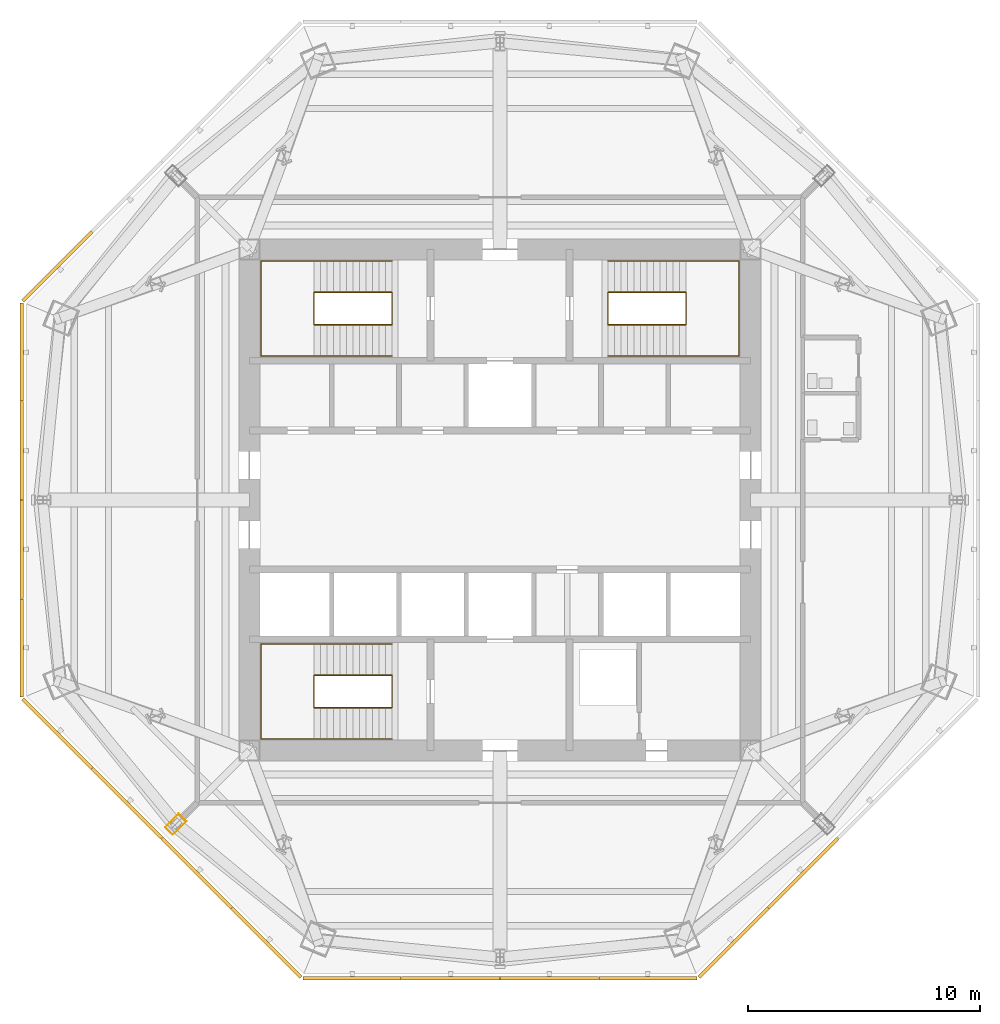
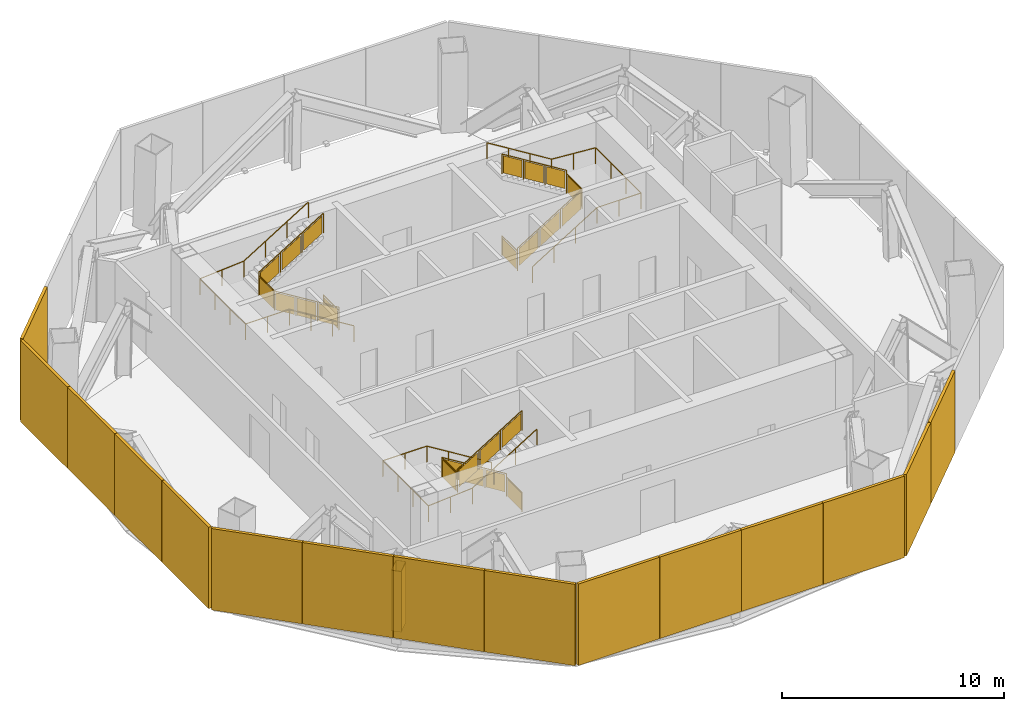
# One storey, part 6 of 8: 15 shading devices, 6 railings, 1 covering.
"""IFC4 building model written with IfcOpenShell, lengths in metres."""

from ifc_helpers import new_model, si_unit, direction, frame, origin, origin_2d, place, context, subcontext, project, spatial, polyline, rectangle, circle, outline, extrude, source, transform, mapped, material, layer, layer_set, type_object, type_shapes, element, save


model = new_model("IFC4")

# Units and contexts
model_context = context("Model", 3, precision=1e-05, world=origin(), true_north=direction((0.0, 1.0)))
body_context = subcontext(model_context, "Body", "Model", "MODEL_VIEW")
ifc_project = project(units=[si_unit("LENGTHUNIT", "METRE"), si_unit("AREAUNIT", "SQUARE_METRE"), si_unit("VOLUMEUNIT", "CUBIC_METRE"), si_unit("PLANEANGLEUNIT", "RADIAN"), si_unit("MASSUNIT", "GRAM", prefix="KILO")], contexts=[model_context])

# Site, building, storey
site_placement = place(None, origin())
site = spatial("IfcSite", under=ifc_project, at=site_placement, CompositionType="ELEMENT")
building_placement = place(site_placement, origin())
building = spatial("IfcBuilding", under=site, at=building_placement, Name="Mashrafa Tower", CompositionType="ELEMENT")
storey_placement = place(building_placement, frame((0.0, 0.0, 261.800048828125)))
storey = spatial("IfcBuildingStorey", under=building, at=storey_placement, Name="L63", CompositionType="ELEMENT", Elevation=261.800048828125)

# Covering
ifc_material_1 = material(Name="Gypsum board")
ifc_layer_1 = layer(ifc_material_1, 0.014892578125)
ifc_layer_set_1 = layer_set([ifc_layer_1], Name="Column casing plasterboard 15")
covering_type = type_object("IfcCoveringType", Name="Column casing plasterboard 15", PredefinedType="CLADDING", material=ifc_layer_set_1)
covering_placement = place(storey_placement, origin())
element("IfcCovering", 1, at=covering_placement, inside=storey, type_object=covering_type, Name="Column casing L63-003", PredefinedType="CLADDING", context=body_context, shape_type="SweptSolid", body=[
    extrude(outline(polyline([(-14.434814453125, -14.095458984375), (-13.84228515625, -13.5029296875), (-13.5029296875, -13.84228515625), (-14.095458984375, -14.434814453125), (-14.434814453125, -14.095458984375)]), holes=[polyline([(-13.524169921875, -13.84228515625), (-13.84228515625, -13.524169921875), (-14.41357421875, -14.095458984375), (-14.095458984375, -14.41357421875), (-13.524169921875, -13.84228515625)])]), origin(), (0.0, 0.0, 1.0), 3.33984375),
])

# Railings
ifc_material_2 = material(Name="Steel guard with glass infill", Category="steel")
railing_type_1 = type_object("IfcRailingType", Name="Stair guard 1100", PredefinedType="GUARDRAIL", material=ifc_material_2)
railing_1_placement = place(storey_placement, frame((-4.64990234375, 8.949951171875, 0.0)))
element("IfcRailing", 2, at=railing_1_placement, inside=storey, type_object=railing_type_1, Name="Stair S1 guard L63", PredefinedType="GUARDRAIL", context=body_context, shape_type="SweptSolid", body=[
    extrude(circle(Radius=0.02392578125, at=origin_2d()), frame((0.0, 0.0, 1.076171875), z_axis=(0.0, -1.0, 0.0), x_axis=(1.0, 0.0, 0.0)), (0.0, 0.0, 1.0), 1.39990234375),
    extrude(circle(Radius=0.02392578125, at=origin_2d()), frame((0.0, -1.39990234375, 1.076171875), z_axis=(0.0, 0.0, 1.0), x_axis=(1.0, 0.0, 0.0)), (0.0, 0.0, 1.0), 0.173095703125),
    extrude(circle(Radius=0.02392578125, at=origin_2d()), frame((0.0, -1.39990234375, 1.2490234375), z_axis=(-0.850623216509, 0.0, 0.525775754039), x_axis=(0.0, -1.0, 0.0)), (0.0, 0.0, 1.0), 3.9501953125),
    extrude(circle(Radius=0.02392578125, at=origin_2d()), frame((-3.360107421875, -1.39990234375, 3.326171875), z_axis=(0.0, 1.0, 0.0), x_axis=(-1.0, 0.0, 0.0)), (0.0, 0.0, 1.0), 1.39990234375),
    extrude(circle(Radius=0.02392578125, at=origin_2d()), frame((-3.360107421875, 0.0, 3.326171875), z_axis=(0.0, 0.0, 1.0), x_axis=(1.0, 0.0, 0.0)), (0.0, 0.0, 1.0), 0.173095703125),
    extrude(circle(Radius=0.02392578125, at=origin_2d()), frame((-3.360107421875, 0.0, 3.4990234375), z_axis=(0.850623216509, 0.0, 0.525775754039), x_axis=(0.0, 1.0, 0.0)), (0.0, 0.0, 1.0), 3.9501953125),
    extrude(circle(Radius=0.02099609375, at=origin_2d()), origin(), (0.0, 0.0, 1.0), 1.052001953125),
    extrude(circle(Radius=0.02099609375, at=origin_2d()), frame((0.0, -1.39990234375, 0.0)), (0.0, 0.0, 1.0), 1.052001953125),
    extrude(circle(Radius=0.02099609375, at=origin_2d()), frame((0.0, -1.39990234375, 0.173095703125)), (0.0, 0.0, 1.0), 1.052001953125),
    extrude(circle(Radius=0.02099609375, at=origin_2d()), frame((-1.1201171875, -1.39990234375, 0.865478515625)), (0.0, 0.0, 1.0), 1.052001953125),
    extrude(circle(Radius=0.02099609375, at=origin_2d()), frame((-2.239990234375, -1.39990234375, 1.5576171875)), (0.0, 0.0, 1.0), 1.052001953125),
    extrude(circle(Radius=0.02099609375, at=origin_2d()), frame((-3.360107421875, -1.39990234375, 2.25)), (0.0, 0.0, 1.0), 1.052001953125),
    extrude(circle(Radius=0.02099609375, at=origin_2d()), frame((-3.360107421875, 0.0, 2.25)), (0.0, 0.0, 1.0), 1.052001953125),
    extrude(circle(Radius=0.02099609375, at=origin_2d()), frame((-3.360107421875, 0.0, 2.423095703125)), (0.0, 0.0, 1.0), 1.052001953125),
    extrude(circle(Radius=0.02099609375, at=origin_2d()), frame((-2.239990234375, 0.0, 3.115478515625)), (0.0, 0.0, 1.0), 1.052001953125),
    extrude(circle(Radius=0.02099609375, at=origin_2d()), frame((-1.1201171875, 0.0, 3.8076171875)), (0.0, 0.0, 1.0), 1.052001953125),
    extrude(circle(Radius=0.02099609375, at=origin_2d()), frame((0.0, 0.0, 4.5)), (0.0, 0.0, 1.0), 1.052001953125),
    extrude(outline(polyline([(0.071044921875, 0.050048828125), (1.328857421875, 0.050048828125), (1.328857421875, 1.001953125), (0.071044921875, 1.001953125), (0.071044921875, 0.050048828125)])), frame((-0.006103515625, 0.0, 0.0), z_axis=(-1.0, 0.0, 0.0), x_axis=(0.0, -1.0, 0.0)), (0.0, 0.0, 1.0), 0.011962890625),
    extrude(outline(polyline([(0.071044921875, 0.093994140625), (1.049072265625, 0.698486328125), (1.049072265625, 1.650390625), (0.071044921875, 1.0458984375), (0.071044921875, 0.093994140625)])), frame((0.0, -1.393798828125, 0.173095703125), z_axis=(0.0, 1.0, 0.0), x_axis=(-1.0, 0.0, 0.0)), (0.0, 0.0, 1.0), 0.011962890625),
    extrude(outline(polyline([(1.19091796875, 0.7861328125), (2.169189453125, 1.390625), (2.169189453125, 2.3427734375), (1.19091796875, 1.73828125), (1.19091796875, 0.7861328125)])), frame((0.0, -1.393798828125, 0.173095703125), z_axis=(0.0, 1.0, 0.0), x_axis=(-1.0, 0.0, 0.0)), (0.0, 0.0, 1.0), 0.011962890625),
    extrude(outline(polyline([(2.31103515625, 1.478515625), (3.2890625, 2.0830078125), (3.2890625, 3.034912109375), (2.31103515625, 2.430419921875), (2.31103515625, 1.478515625)])), frame((0.0, -1.393798828125, 0.173095703125), z_axis=(0.0, 1.0, 0.0), x_axis=(-1.0, 0.0, 0.0)), (0.0, 0.0, 1.0), 0.011962890625),
    extrude(outline(polyline([(0.071044921875, 0.050048828125), (1.328857421875, 0.050048828125), (1.328857421875, 1.001953125), (0.071044921875, 1.001953125), (0.071044921875, 0.050048828125)])), frame((-3.35400390625, -1.39990234375, 2.25), z_axis=(1.0, 0.0, 0.0), x_axis=(0.0, 1.0, 0.0)), (0.0, 0.0, 1.0), 0.011962890625),
    extrude(outline(polyline([(0.071044921875, 0.093994140625), (1.049072265625, 0.698486328125), (1.049072265625, 1.650390625), (0.071044921875, 1.0458984375), (0.071044921875, 0.093994140625)])), frame((-3.360107421875, -0.006103515625, 2.423095703125), z_axis=(0.0, -1.0, 0.0), x_axis=(1.0, 0.0, 0.0)), (0.0, 0.0, 1.0), 0.011962890625),
    extrude(outline(polyline([(1.19091796875, 0.7861328125), (2.169189453125, 1.390625), (2.169189453125, 2.3427734375), (1.19091796875, 1.73828125), (1.19091796875, 0.7861328125)])), frame((-3.360107421875, -0.006103515625, 2.423095703125), z_axis=(0.0, -1.0, 0.0), x_axis=(1.0, 0.0, 0.0)), (0.0, 0.0, 1.0), 0.011962890625),
    extrude(outline(polyline([(2.31103515625, 1.478515625), (3.2890625, 2.0830078125), (3.2890625, 3.034912109375), (2.31103515625, 2.430419921875), (2.31103515625, 1.478515625)])), frame((-3.360107421875, -0.006103515625, 2.423095703125), z_axis=(0.0, -1.0, 0.0), x_axis=(1.0, 0.0, 0.0)), (0.0, 0.0, 1.0), 0.011962890625),
])
railing_2_placement = place(storey_placement, frame((4.64990234375, 8.949951171875, 0.0)))
element("IfcRailing", 3, at=railing_2_placement, inside=storey, type_object=railing_type_1, Name="Stair S2 guard L63", PredefinedType="GUARDRAIL", context=body_context, shape_type="SweptSolid", body=[
    extrude(circle(Radius=0.02392578125, at=origin_2d()), frame((0.0, 0.0, 1.076171875), z_axis=(0.0, -1.0, 0.0), x_axis=(1.0, 0.0, 0.0)), (0.0, 0.0, 1.0), 1.39990234375),
    extrude(circle(Radius=0.02392578125, at=origin_2d()), frame((0.0, -1.39990234375, 1.076171875), z_axis=(0.0, 0.0, 1.0), x_axis=(1.0, 0.0, 0.0)), (0.0, 0.0, 1.0), 0.173095703125),
    extrude(circle(Radius=0.02392578125, at=origin_2d()), frame((0.0, -1.39990234375, 1.2490234375), z_axis=(0.850623216509, 0.0, 0.525775754039), x_axis=(0.0, 1.0, 0.0)), (0.0, 0.0, 1.0), 3.9501953125),
    extrude(circle(Radius=0.02392578125, at=origin_2d()), frame((3.360107421875, -1.39990234375, 3.326171875), z_axis=(0.0, 1.0, 0.0), x_axis=(-1.0, 0.0, 0.0)), (0.0, 0.0, 1.0), 1.39990234375),
    extrude(circle(Radius=0.02392578125, at=origin_2d()), frame((3.360107421875, 0.0, 3.326171875), z_axis=(0.0, 0.0, 1.0), x_axis=(1.0, 0.0, 0.0)), (0.0, 0.0, 1.0), 0.173095703125),
    extrude(circle(Radius=0.02392578125, at=origin_2d()), frame((3.360107421875, 0.0, 3.4990234375), z_axis=(-0.850623216509, 0.0, 0.525775754039), x_axis=(0.0, -1.0, 0.0)), (0.0, 0.0, 1.0), 3.9501953125),
    extrude(circle(Radius=0.02099609375, at=origin_2d()), origin(), (0.0, 0.0, 1.0), 1.052001953125),
    extrude(circle(Radius=0.02099609375, at=origin_2d()), frame((0.0, -1.39990234375, 0.0)), (0.0, 0.0, 1.0), 1.052001953125),
    extrude(circle(Radius=0.02099609375, at=origin_2d()), frame((0.0, -1.39990234375, 0.173095703125)), (0.0, 0.0, 1.0), 1.052001953125),
    extrude(circle(Radius=0.02099609375, at=origin_2d()), frame((1.1201171875, -1.39990234375, 0.865478515625)), (0.0, 0.0, 1.0), 1.052001953125),
    extrude(circle(Radius=0.02099609375, at=origin_2d()), frame((2.239990234375, -1.39990234375, 1.5576171875)), (0.0, 0.0, 1.0), 1.052001953125),
    extrude(circle(Radius=0.02099609375, at=origin_2d()), frame((3.360107421875, -1.39990234375, 2.25)), (0.0, 0.0, 1.0), 1.052001953125),
    extrude(circle(Radius=0.02099609375, at=origin_2d()), frame((3.360107421875, 0.0, 2.25)), (0.0, 0.0, 1.0), 1.052001953125),
    extrude(circle(Radius=0.02099609375, at=origin_2d()), frame((3.360107421875, 0.0, 2.423095703125)), (0.0, 0.0, 1.0), 1.052001953125),
    extrude(circle(Radius=0.02099609375, at=origin_2d()), frame((2.239990234375, 0.0, 3.115478515625)), (0.0, 0.0, 1.0), 1.052001953125),
    extrude(circle(Radius=0.02099609375, at=origin_2d()), frame((1.1201171875, 0.0, 3.8076171875)), (0.0, 0.0, 1.0), 1.052001953125),
    extrude(circle(Radius=0.02099609375, at=origin_2d()), frame((0.0, 0.0, 4.5)), (0.0, 0.0, 1.0), 1.052001953125),
    extrude(outline(polyline([(0.071044921875, 0.050048828125), (1.328857421875, 0.050048828125), (1.328857421875, 1.001953125), (0.071044921875, 1.001953125), (0.071044921875, 0.050048828125)])), frame((-0.006103515625, 0.0, 0.0), z_axis=(-1.0, 0.0, 0.0), x_axis=(0.0, -1.0, 0.0)), (0.0, 0.0, 1.0), 0.011962890625),
    extrude(outline(polyline([(0.071044921875, 0.093994140625), (1.049072265625, 0.698486328125), (1.049072265625, 1.650390625), (0.071044921875, 1.0458984375), (0.071044921875, 0.093994140625)])), frame((0.0, -1.406005859375, 0.173095703125), z_axis=(0.0, -1.0, 0.0), x_axis=(1.0, 0.0, 0.0)), (0.0, 0.0, 1.0), 0.011962890625),
    extrude(outline(polyline([(1.19091796875, 0.7861328125), (2.169189453125, 1.390625), (2.169189453125, 2.3427734375), (1.19091796875, 1.73828125), (1.19091796875, 0.7861328125)])), frame((0.0, -1.406005859375, 0.173095703125), z_axis=(0.0, -1.0, 0.0), x_axis=(1.0, 0.0, 0.0)), (0.0, 0.0, 1.0), 0.011962890625),
    extrude(outline(polyline([(2.31103515625, 1.478515625), (3.2890625, 2.0830078125), (3.2890625, 3.034912109375), (2.31103515625, 2.430419921875), (2.31103515625, 1.478515625)])), frame((0.0, -1.406005859375, 0.173095703125), z_axis=(0.0, -1.0, 0.0), x_axis=(1.0, 0.0, 0.0)), (0.0, 0.0, 1.0), 0.011962890625),
    extrude(outline(polyline([(0.071044921875, 0.050048828125), (1.328857421875, 0.050048828125), (1.328857421875, 1.001953125), (0.071044921875, 1.001953125), (0.071044921875, 0.050048828125)])), frame((3.3662109375, -1.39990234375, 2.25), z_axis=(1.0, 0.0, 0.0), x_axis=(0.0, 1.0, 0.0)), (0.0, 0.0, 1.0), 0.011962890625),
    extrude(outline(polyline([(0.071044921875, 0.093994140625), (1.049072265625, 0.698486328125), (1.049072265625, 1.650390625), (0.071044921875, 1.0458984375), (0.071044921875, 0.093994140625)])), frame((3.360107421875, 0.006103515625, 2.423095703125), z_axis=(0.0, 1.0, 0.0), x_axis=(-1.0, 0.0, 0.0)), (0.0, 0.0, 1.0), 0.011962890625),
    extrude(outline(polyline([(1.19091796875, 0.7861328125), (2.169189453125, 1.390625), (2.169189453125, 2.3427734375), (1.19091796875, 1.73828125), (1.19091796875, 0.7861328125)])), frame((3.360107421875, 0.006103515625, 2.423095703125), z_axis=(0.0, 1.0, 0.0), x_axis=(-1.0, 0.0, 0.0)), (0.0, 0.0, 1.0), 0.011962890625),
    extrude(outline(polyline([(2.31103515625, 1.478515625), (3.2890625, 2.0830078125), (3.2890625, 3.034912109375), (2.31103515625, 2.430419921875), (2.31103515625, 1.478515625)])), frame((3.360107421875, 0.006103515625, 2.423095703125), z_axis=(0.0, 1.0, 0.0), x_axis=(-1.0, 0.0, 0.0)), (0.0, 0.0, 1.0), 0.011962890625),
])
railing_3_placement = place(storey_placement, frame((-4.64990234375, -8.949951171875, 0.0)))
element("IfcRailing", 4, at=railing_3_placement, inside=storey, type_object=railing_type_1, Name="Stair S3 guard L63", PredefinedType="GUARDRAIL", context=body_context, shape_type="SweptSolid", body=[
    extrude(circle(Radius=0.02392578125, at=origin_2d()), frame((0.0, 0.0, 1.076171875), z_axis=(0.0, 1.0, 0.0), x_axis=(-1.0, 0.0, 0.0)), (0.0, 0.0, 1.0), 1.39990234375),
    extrude(circle(Radius=0.02392578125, at=origin_2d()), frame((0.0, 1.39990234375, 1.076171875), z_axis=(0.0, 0.0, 1.0), x_axis=(1.0, 0.0, 0.0)), (0.0, 0.0, 1.0), 0.173095703125),
    extrude(circle(Radius=0.02392578125, at=origin_2d()), frame((0.0, 1.39990234375, 1.2490234375), z_axis=(-0.850623216509, 0.0, 0.525775754039), x_axis=(0.0, -1.0, 0.0)), (0.0, 0.0, 1.0), 3.9501953125),
    extrude(circle(Radius=0.02392578125, at=origin_2d()), frame((-3.360107421875, 1.39990234375, 3.326171875), z_axis=(0.0, -1.0, 0.0), x_axis=(1.0, 0.0, 0.0)), (0.0, 0.0, 1.0), 1.39990234375),
    extrude(circle(Radius=0.02392578125, at=origin_2d()), frame((-3.360107421875, 0.0, 3.326171875), z_axis=(0.0, 0.0, 1.0), x_axis=(1.0, 0.0, 0.0)), (0.0, 0.0, 1.0), 0.173095703125),
    extrude(circle(Radius=0.02392578125, at=origin_2d()), frame((-3.360107421875, 0.0, 3.4990234375), z_axis=(0.850623216509, 0.0, 0.525775754039), x_axis=(0.0, 1.0, 0.0)), (0.0, 0.0, 1.0), 3.9501953125),
    extrude(circle(Radius=0.02099609375, at=origin_2d()), origin(), (0.0, 0.0, 1.0), 1.052001953125),
    extrude(circle(Radius=0.02099609375, at=origin_2d()), frame((0.0, 1.39990234375, 0.0)), (0.0, 0.0, 1.0), 1.052001953125),
    extrude(circle(Radius=0.02099609375, at=origin_2d()), frame((0.0, 1.39990234375, 0.173095703125)), (0.0, 0.0, 1.0), 1.052001953125),
    extrude(circle(Radius=0.02099609375, at=origin_2d()), frame((-1.1201171875, 1.39990234375, 0.865478515625)), (0.0, 0.0, 1.0), 1.052001953125),
    extrude(circle(Radius=0.02099609375, at=origin_2d()), frame((-2.239990234375, 1.39990234375, 1.5576171875)), (0.0, 0.0, 1.0), 1.052001953125),
    extrude(circle(Radius=0.02099609375, at=origin_2d()), frame((-3.360107421875, 1.39990234375, 2.25)), (0.0, 0.0, 1.0), 1.052001953125),
    extrude(circle(Radius=0.02099609375, at=origin_2d()), frame((-3.360107421875, 0.0, 2.25)), (0.0, 0.0, 1.0), 1.052001953125),
    extrude(circle(Radius=0.02099609375, at=origin_2d()), frame((-3.360107421875, 0.0, 2.423095703125)), (0.0, 0.0, 1.0), 1.052001953125),
    extrude(circle(Radius=0.02099609375, at=origin_2d()), frame((-2.239990234375, 0.0, 3.115478515625)), (0.0, 0.0, 1.0), 1.052001953125),
    extrude(circle(Radius=0.02099609375, at=origin_2d()), frame((-1.1201171875, 0.0, 3.8076171875)), (0.0, 0.0, 1.0), 1.052001953125),
    extrude(circle(Radius=0.02099609375, at=origin_2d()), frame((0.0, 0.0, 4.5)), (0.0, 0.0, 1.0), 1.052001953125),
    extrude(outline(polyline([(0.071044921875, 0.050048828125), (1.328857421875, 0.050048828125), (1.328857421875, 1.001953125), (0.071044921875, 1.001953125), (0.071044921875, 0.050048828125)])), frame((0.006103515625, 0.0, 0.0), z_axis=(1.0, 0.0, 0.0), x_axis=(0.0, 1.0, 0.0)), (0.0, 0.0, 1.0), 0.011962890625),
    extrude(outline(polyline([(0.071044921875, 0.093994140625), (1.049072265625, 0.698486328125), (1.049072265625, 1.650390625), (0.071044921875, 1.0458984375), (0.071044921875, 0.093994140625)])), frame((0.0, 1.406005859375, 0.173095703125), z_axis=(0.0, 1.0, 0.0), x_axis=(-1.0, 0.0, 0.0)), (0.0, 0.0, 1.0), 0.011962890625),
    extrude(outline(polyline([(1.19091796875, 0.7861328125), (2.169189453125, 1.390625), (2.169189453125, 2.3427734375), (1.19091796875, 1.73828125), (1.19091796875, 0.7861328125)])), frame((0.0, 1.406005859375, 0.173095703125), z_axis=(0.0, 1.0, 0.0), x_axis=(-1.0, 0.0, 0.0)), (0.0, 0.0, 1.0), 0.011962890625),
    extrude(outline(polyline([(2.31103515625, 1.478515625), (3.2890625, 2.0830078125), (3.2890625, 3.034912109375), (2.31103515625, 2.430419921875), (2.31103515625, 1.478515625)])), frame((0.0, 1.406005859375, 0.173095703125), z_axis=(0.0, 1.0, 0.0), x_axis=(-1.0, 0.0, 0.0)), (0.0, 0.0, 1.0), 0.011962890625),
    extrude(outline(polyline([(0.071044921875, 0.050048828125), (1.328857421875, 0.050048828125), (1.328857421875, 1.001953125), (0.071044921875, 1.001953125), (0.071044921875, 0.050048828125)])), frame((-3.3662109375, 1.39990234375, 2.25), z_axis=(-1.0, 0.0, 0.0), x_axis=(0.0, -1.0, 0.0)), (0.0, 0.0, 1.0), 0.011962890625),
    extrude(outline(polyline([(0.071044921875, 0.093994140625), (1.049072265625, 0.698486328125), (1.049072265625, 1.650390625), (0.071044921875, 1.0458984375), (0.071044921875, 0.093994140625)])), frame((-3.360107421875, -0.006103515625, 2.423095703125), z_axis=(0.0, -1.0, 0.0), x_axis=(1.0, 0.0, 0.0)), (0.0, 0.0, 1.0), 0.011962890625),
    extrude(outline(polyline([(1.19091796875, 0.7861328125), (2.169189453125, 1.390625), (2.169189453125, 2.3427734375), (1.19091796875, 1.73828125), (1.19091796875, 0.7861328125)])), frame((-3.360107421875, -0.006103515625, 2.423095703125), z_axis=(0.0, -1.0, 0.0), x_axis=(1.0, 0.0, 0.0)), (0.0, 0.0, 1.0), 0.011962890625),
    extrude(outline(polyline([(2.31103515625, 1.478515625), (3.2890625, 2.0830078125), (3.2890625, 3.034912109375), (2.31103515625, 2.430419921875), (2.31103515625, 1.478515625)])), frame((-3.360107421875, -0.006103515625, 2.423095703125), z_axis=(0.0, -1.0, 0.0), x_axis=(1.0, 0.0, 0.0)), (0.0, 0.0, 1.0), 0.011962890625),
])
ifc_material_3 = material(Name="Steel", Category="steel")
railing_type_2 = type_object("IfcRailingType", Name="Stair handrail 900", PredefinedType="HANDRAIL", material=ifc_material_3)
railing_4_placement = place(storey_placement, frame((-4.64990234375, 6.199951171875, 0.173095703125)))
element("IfcRailing", 5, at=railing_4_placement, inside=storey, type_object=railing_type_2, Name="Stair S1 handrail L63", PredefinedType="HANDRAIL", context=body_context, shape_type="SweptSolid", body=[
    extrude(circle(Radius=0.02392578125, at=origin_2d()), frame((0.0, 0.0, 0.8759765625), z_axis=(-0.850623216509, 0.0, 0.525775754039), x_axis=(0.0, -1.0, 0.0)), (0.0, 0.0, 1.0), 3.9501953125),
    extrude(circle(Radius=0.02392578125, at=origin_2d()), frame((-3.360107421875, 0.0, 2.95263671875), z_axis=(-1.0, 0.0, 0.0), x_axis=(0.0, -1.0, 0.0)), (0.0, 0.0, 1.0), 2.2900390625),
    extrude(circle(Radius=0.02392578125, at=origin_2d()), frame((-5.650146484375, 0.0, 2.95263671875), z_axis=(0.0, 1.0, 0.0), x_axis=(-1.0, 0.0, 0.0)), (0.0, 0.0, 1.0), 4.10009765625),
    extrude(circle(Radius=0.02392578125, at=origin_2d()), frame((-5.650146484375, 4.10009765625, 2.95263671875), z_axis=(0.99715553422, 0.0, 0.075371351147), x_axis=(0.0, 1.0, 0.0)), (0.0, 0.0, 1.0), 2.296630859375),
    extrude(circle(Radius=0.02392578125, at=origin_2d()), frame((-3.360107421875, 4.10009765625, 3.1259765625), z_axis=(0.850623216509, 0.0, 0.525775754039), x_axis=(0.0, 1.0, 0.0)), (0.0, 0.0, 1.0), 3.9501953125),
    extrude(circle(Radius=0.02099609375, at=origin_2d()), origin(), (0.0, 0.0, 1.0), 0.851806640625),
    extrude(circle(Radius=0.02099609375, at=origin_2d()), frame((-1.1201171875, 0.0, 0.6923828125)), (0.0, 0.0, 1.0), 0.851806640625),
    extrude(circle(Radius=0.02099609375, at=origin_2d()), frame((-2.239990234375, 0.0, 1.384521484375)), (0.0, 0.0, 1.0), 0.851806640625),
    extrude(circle(Radius=0.02099609375, at=origin_2d()), frame((-3.360107421875, 0.0, 2.076904296875)), (0.0, 0.0, 1.0), 0.851806640625),
    extrude(circle(Radius=0.02099609375, at=origin_2d()), frame((-4.505126953125, 0.0, 2.076904296875)), (0.0, 0.0, 1.0), 0.851806640625),
    extrude(circle(Radius=0.02099609375, at=origin_2d()), frame((-5.650146484375, 0.0, 2.076904296875)), (0.0, 0.0, 1.0), 0.851806640625),
    extrude(circle(Radius=0.02099609375, at=origin_2d()), frame((-5.650146484375, 1.36669921875, 2.076904296875)), (0.0, 0.0, 1.0), 0.851806640625),
    extrude(circle(Radius=0.02099609375, at=origin_2d()), frame((-5.650146484375, 2.7333984375, 2.076904296875)), (0.0, 0.0, 1.0), 0.851806640625),
    extrude(circle(Radius=0.02099609375, at=origin_2d()), frame((-5.650146484375, 4.10009765625, 2.076904296875)), (0.0, 0.0, 1.0), 0.851806640625),
    extrude(circle(Radius=0.02099609375, at=origin_2d()), frame((-4.505126953125, 4.10009765625, 2.16357421875)), (0.0, 0.0, 1.0), 0.851806640625),
    extrude(circle(Radius=0.02099609375, at=origin_2d()), frame((-3.360107421875, 4.10009765625, 2.25)), (0.0, 0.0, 1.0), 0.851806640625),
    extrude(circle(Radius=0.02099609375, at=origin_2d()), frame((-2.239990234375, 4.10009765625, 2.9423828125)), (0.0, 0.0, 1.0), 0.851806640625),
    extrude(circle(Radius=0.02099609375, at=origin_2d()), frame((-1.1201171875, 4.10009765625, 3.634521484375)), (0.0, 0.0, 1.0), 0.851806640625),
    extrude(circle(Radius=0.02099609375, at=origin_2d()), frame((0.0, 4.10009765625, 4.326904296875)), (0.0, 0.0, 1.0), 0.851806640625),
])
railing_5_placement = place(storey_placement, frame((4.64990234375, 6.199951171875, 0.173095703125)))
element("IfcRailing", 6, at=railing_5_placement, inside=storey, type_object=railing_type_2, Name="Stair S2 handrail L63", PredefinedType="HANDRAIL", context=body_context, shape_type="SweptSolid", body=[
    extrude(circle(Radius=0.02392578125, at=origin_2d()), frame((0.0, 0.0, 0.8759765625), z_axis=(0.850623216509, 0.0, 0.525775754039), x_axis=(0.0, 1.0, 0.0)), (0.0, 0.0, 1.0), 3.9501953125),
    extrude(circle(Radius=0.02392578125, at=origin_2d()), frame((3.360107421875, 0.0, 2.95263671875), z_axis=(1.0, 0.0, 0.0), x_axis=(0.0, 1.0, 0.0)), (0.0, 0.0, 1.0), 2.2900390625),
    extrude(circle(Radius=0.02392578125, at=origin_2d()), frame((5.650146484375, 0.0, 2.95263671875), z_axis=(0.0, 1.0, 0.0), x_axis=(-1.0, 0.0, 0.0)), (0.0, 0.0, 1.0), 4.10009765625),
    extrude(circle(Radius=0.02392578125, at=origin_2d()), frame((5.650146484375, 4.10009765625, 2.95263671875), z_axis=(-0.99715553422, 0.0, 0.075371351147), x_axis=(0.0, -1.0, 0.0)), (0.0, 0.0, 1.0), 2.296630859375),
    extrude(circle(Radius=0.02392578125, at=origin_2d()), frame((3.360107421875, 4.10009765625, 3.1259765625), z_axis=(-0.850623216509, 0.0, 0.525775754039), x_axis=(0.0, -1.0, 0.0)), (0.0, 0.0, 1.0), 3.9501953125),
    extrude(circle(Radius=0.02099609375, at=origin_2d()), origin(), (0.0, 0.0, 1.0), 0.851806640625),
    extrude(circle(Radius=0.02099609375, at=origin_2d()), frame((1.1201171875, 0.0, 0.6923828125)), (0.0, 0.0, 1.0), 0.851806640625),
    extrude(circle(Radius=0.02099609375, at=origin_2d()), frame((2.239990234375, 0.0, 1.384521484375)), (0.0, 0.0, 1.0), 0.851806640625),
    extrude(circle(Radius=0.02099609375, at=origin_2d()), frame((3.360107421875, 0.0, 2.076904296875)), (0.0, 0.0, 1.0), 0.851806640625),
    extrude(circle(Radius=0.02099609375, at=origin_2d()), frame((4.505126953125, 0.0, 2.076904296875)), (0.0, 0.0, 1.0), 0.851806640625),
    extrude(circle(Radius=0.02099609375, at=origin_2d()), frame((5.650146484375, 0.0, 2.076904296875)), (0.0, 0.0, 1.0), 0.851806640625),
    extrude(circle(Radius=0.02099609375, at=origin_2d()), frame((5.650146484375, 1.36669921875, 2.076904296875)), (0.0, 0.0, 1.0), 0.851806640625),
    extrude(circle(Radius=0.02099609375, at=origin_2d()), frame((5.650146484375, 2.7333984375, 2.076904296875)), (0.0, 0.0, 1.0), 0.851806640625),
    extrude(circle(Radius=0.02099609375, at=origin_2d()), frame((5.650146484375, 4.10009765625, 2.076904296875)), (0.0, 0.0, 1.0), 0.851806640625),
    extrude(circle(Radius=0.02099609375, at=origin_2d()), frame((4.505126953125, 4.10009765625, 2.16357421875)), (0.0, 0.0, 1.0), 0.851806640625),
    extrude(circle(Radius=0.02099609375, at=origin_2d()), frame((3.360107421875, 4.10009765625, 2.25)), (0.0, 0.0, 1.0), 0.851806640625),
    extrude(circle(Radius=0.02099609375, at=origin_2d()), frame((2.239990234375, 4.10009765625, 2.9423828125)), (0.0, 0.0, 1.0), 0.851806640625),
    extrude(circle(Radius=0.02099609375, at=origin_2d()), frame((1.1201171875, 4.10009765625, 3.634521484375)), (0.0, 0.0, 1.0), 0.851806640625),
    extrude(circle(Radius=0.02099609375, at=origin_2d()), frame((0.0, 4.10009765625, 4.326904296875)), (0.0, 0.0, 1.0), 0.851806640625),
])
railing_6_placement = place(storey_placement, frame((-4.64990234375, -6.199951171875, 0.173095703125)))
element("IfcRailing", 7, at=railing_6_placement, inside=storey, type_object=railing_type_2, Name="Stair S3 handrail L63", PredefinedType="HANDRAIL", context=body_context, shape_type="SweptSolid", body=[
    extrude(circle(Radius=0.02392578125, at=origin_2d()), frame((0.0, 0.0, 0.8759765625), z_axis=(-0.850623216509, 0.0, 0.525775754039), x_axis=(0.0, -1.0, 0.0)), (0.0, 0.0, 1.0), 3.9501953125),
    extrude(circle(Radius=0.02392578125, at=origin_2d()), frame((-3.360107421875, 0.0, 2.95263671875), z_axis=(-1.0, 0.0, 0.0), x_axis=(0.0, -1.0, 0.0)), (0.0, 0.0, 1.0), 2.2900390625),
    extrude(circle(Radius=0.02392578125, at=origin_2d()), frame((-5.650146484375, 0.0, 2.95263671875), z_axis=(0.0, -1.0, 0.0), x_axis=(1.0, 0.0, 0.0)), (0.0, 0.0, 1.0), 4.10009765625),
    extrude(circle(Radius=0.02392578125, at=origin_2d()), frame((-5.650146484375, -4.10009765625, 2.95263671875), z_axis=(0.99715553422, 0.0, 0.075371351147), x_axis=(0.0, 1.0, 0.0)), (0.0, 0.0, 1.0), 2.296630859375),
    extrude(circle(Radius=0.02392578125, at=origin_2d()), frame((-3.360107421875, -4.10009765625, 3.1259765625), z_axis=(0.850623216509, 0.0, 0.525775754039), x_axis=(0.0, 1.0, 0.0)), (0.0, 0.0, 1.0), 3.9501953125),
    extrude(circle(Radius=0.02099609375, at=origin_2d()), origin(), (0.0, 0.0, 1.0), 0.851806640625),
    extrude(circle(Radius=0.02099609375, at=origin_2d()), frame((-1.1201171875, 0.0, 0.6923828125)), (0.0, 0.0, 1.0), 0.851806640625),
    extrude(circle(Radius=0.02099609375, at=origin_2d()), frame((-2.239990234375, 0.0, 1.384521484375)), (0.0, 0.0, 1.0), 0.851806640625),
    extrude(circle(Radius=0.02099609375, at=origin_2d()), frame((-3.360107421875, 0.0, 2.076904296875)), (0.0, 0.0, 1.0), 0.851806640625),
    extrude(circle(Radius=0.02099609375, at=origin_2d()), frame((-4.505126953125, 0.0, 2.076904296875)), (0.0, 0.0, 1.0), 0.851806640625),
    extrude(circle(Radius=0.02099609375, at=origin_2d()), frame((-5.650146484375, 0.0, 2.076904296875)), (0.0, 0.0, 1.0), 0.851806640625),
    extrude(circle(Radius=0.02099609375, at=origin_2d()), frame((-5.650146484375, -1.36669921875, 2.076904296875)), (0.0, 0.0, 1.0), 0.851806640625),
    extrude(circle(Radius=0.02099609375, at=origin_2d()), frame((-5.650146484375, -2.7333984375, 2.076904296875)), (0.0, 0.0, 1.0), 0.851806640625),
    extrude(circle(Radius=0.02099609375, at=origin_2d()), frame((-5.650146484375, -4.10009765625, 2.076904296875)), (0.0, 0.0, 1.0), 0.851806640625),
    extrude(circle(Radius=0.02099609375, at=origin_2d()), frame((-4.505126953125, -4.10009765625, 2.16357421875)), (0.0, 0.0, 1.0), 0.851806640625),
    extrude(circle(Radius=0.02099609375, at=origin_2d()), frame((-3.360107421875, -4.10009765625, 2.25)), (0.0, 0.0, 1.0), 0.851806640625),
    extrude(circle(Radius=0.02099609375, at=origin_2d()), frame((-2.239990234375, -4.10009765625, 2.9423828125)), (0.0, 0.0, 1.0), 0.851806640625),
    extrude(circle(Radius=0.02099609375, at=origin_2d()), frame((-1.1201171875, -4.10009765625, 3.634521484375)), (0.0, 0.0, 1.0), 0.851806640625),
    extrude(circle(Radius=0.02099609375, at=origin_2d()), frame((0.0, -4.10009765625, 4.326904296875)), (0.0, 0.0, 1.0), 0.851806640625),
])

# Shading devices
ifc_material_4 = material(Name="Extruded aluminium weather louvre", Category="aluminium")
ifc_layer_2 = layer(ifc_material_4, 0.14990234375)
ifc_layer_set_2 = layer_set([ifc_layer_2], Name="Plant louvre screen 150")
shading_device_type = type_object("IfcShadingDeviceType", Name="Plant louvre screen 150", PredefinedType="SHUTTER", material=ifc_layer_set_2)
shared_shape = source(origin(), body_context, "Body", "SweptSolid", [
    extrude(rectangle(XDim=4.227783203125, YDim=0.14990234375, at=origin_2d()), origin(), (0.0, 0.0, 1.0), 4.47998046875),
])
type_shapes(shading_device_type, [shared_shape])
for number, where, z_axis, x_axis, name in (
    (8, (-19.077880859375, 10.067138671875, 0.0), (0.0, 0.0, 1.0), (-0.707106781187, -0.707106781187, 0.0), "Plant louvre screen L63 north-west 4"),
    (9, (-20.60888671875, 6.37158203125, 0.0), (0.0, 0.0, 1.0), (0.0, -1.0, 0.0), "Plant louvre screen L63 west 1"),
    (10, (-20.60888671875, 2.123779296875, 0.0), (0.0, 0.0, 1.0), (0.0, -1.0, 0.0), "Plant louvre screen L63 west 2"),
    (11, (-20.60888671875, -2.123779296875, 0.0), (0.0, 0.0, 1.0), (0.0, -1.0, 0.0), "Plant louvre screen L63 west 3"),
    (12, (-20.60888671875, -6.37158203125, 0.0), (0.0, 0.0, 1.0), (0.0, -1.0, 0.0), "Plant louvre screen L63 west 4"),
    (13, (-19.077880859375, -10.067138671875, 0.0), (0.0, 0.0, 1.0), (0.707106781187, -0.707106781187, 0.0), "Plant louvre screen L63 south-west 1"),
    (14, (-16.074462890625, -13.07080078125, 0.0), (0.0, 0.0, 1.0), (0.707106781187, -0.707106781187, 0.0), "Plant louvre screen L63 south-west 2"),
    (15, (-13.07080078125, -16.074462890625, 0.0), (0.0, 0.0, 1.0), (0.707106781187, -0.707106781187, 0.0), "Plant louvre screen L63 south-west 3"),
    (16, (-10.067138671875, -19.077880859375, 0.0), (0.0, 0.0, 1.0), (0.707106781187, -0.707106781187, 0.0), "Plant louvre screen L63 south-west 4"),
    (17, (-6.37158203125, -20.60888671875, 0.0), (0.0, 0.0, 1.0), (1.0, 0.0, 0.0), "Plant louvre screen L63 south 1"),
    (18, (-2.123779296875, -20.60888671875, 0.0), (0.0, 0.0, 1.0), (1.0, 0.0, 0.0), "Plant louvre screen L63 south 2"),
    (19, (2.123779296875, -20.60888671875, 0.0), (0.0, 0.0, 1.0), (1.0, 0.0, 0.0), "Plant louvre screen L63 south 3"),
    (20, (6.37158203125, -20.60888671875, 0.0), (0.0, 0.0, 1.0), (1.0, 0.0, 0.0), "Plant louvre screen L63 south 4"),
    (21, (10.067138671875, -19.077880859375, 0.0), (0.0, 0.0, 1.0), (0.707106781187, 0.707106781187, 0.0), "Plant louvre screen L63 south-east 1"),
    (22, (13.07080078125, -16.074462890625, 0.0), (0.0, 0.0, 1.0), (0.707106781187, 0.707106781187, 0.0), "Plant louvre screen L63 south-east 2"),
):
    element("IfcShadingDevice", number, at=place(storey_placement, frame(where, z_axis=z_axis, x_axis=x_axis)), inside=storey, type_object=shading_device_type, Name=name, PredefinedType="SHUTTER", context=body_context, shape_type="MappedRepresentation", body=[
        mapped(shared_shape, transform((0.0, 0.0, 0.0))),
    ])

save(model, "model.ifc")
